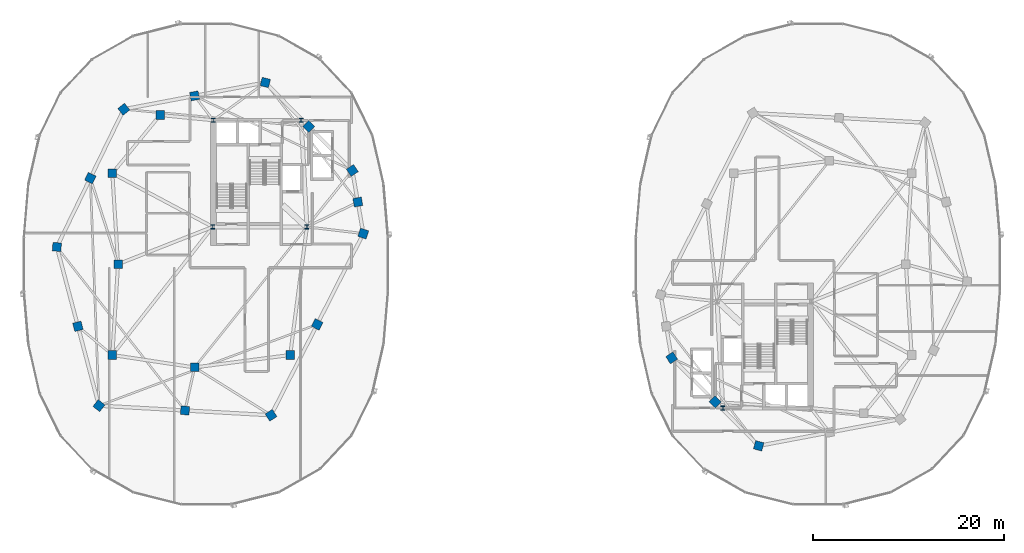
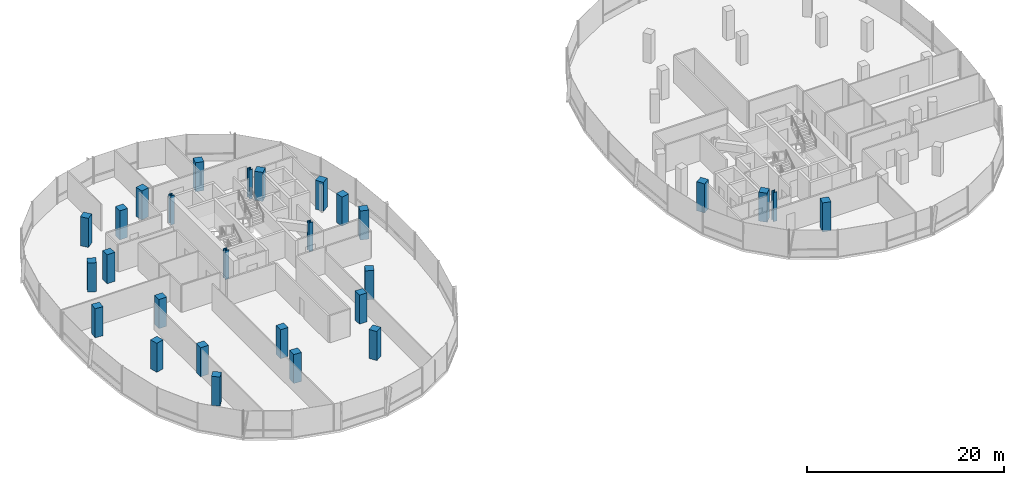
# One storey, part 1 of 25: 28 columns.
"""IFC4 building model written with IfcOpenShell, lengths in metres."""

import ifcopenshell
import ifcopenshell.guid

model = None  # the IFC model being written
_history = None  # IfcOwnerHistory: only IFC2X3 demands one
_inside = {}  # id of a spatial element -> (the spatial element, [elements in it])
_under = {}  # id of a project, library or spatial element -> (it, [spatial elements below it])
_declared = {}  # id of a project -> (the project, [libraries it declares])
_typed = {}  # id of a type object -> (the type object, [elements of that type])
_made_of = {}  # id of a material, layer set ... -> (it, [elements and type objects made of it])


def new_model(schema):
    """Start an empty IFC model of exactly this schema.

    Asked for "IFC4X3", IfcOpenShell would pick the latest addendum, in which some entities
    have other attributes; the version numbers below select the first issue.
    IFC2X3 requires an IfcOwnerHistory on every rooted entity: one is made here for all.
    """
    global model, _history
    if schema == "IFC4X3":
        model = ifcopenshell.file(schema_version=(4, 3, 0, 0))
    else:
        model = ifcopenshell.file(schema=schema)
    _inside.clear()
    _under.clear()
    _declared.clear()
    _typed.clear()
    _made_of.clear()
    _history = None
    if model.schema == "IFC2X3":
        org = make("IfcOrganization", Name="unknown")
        user = make(
            "IfcPersonAndOrganization",
            ThePerson=make("IfcPerson", FamilyName="unknown"),
            TheOrganization=org,
        )
        app = make(
            "IfcApplication",
            ApplicationDeveloper=org,
            Version="unknown",
            ApplicationFullName="unknown",
            ApplicationIdentifier="unknown",
        )
        _history = make(
            "IfcOwnerHistory",
            OwningUser=user,
            OwningApplication=app,
            ChangeAction="ADDED",
            CreationDate=0,
        )
    return model


def make(cls, **values):
    """One entity of the class cls with the attributes given. An attribute that is None is left unset."""
    return model.create_entity(
        cls, **{name: value for name, value in values.items() if value is not None}
    )


def rooted(cls, **values):
    """An entity with a GlobalId (a new one), such as an element, a storey or a relation."""
    return make(cls, GlobalId=ifcopenshell.guid.new(), OwnerHistory=_history, **values)


def si_unit(unit_type, name, prefix=None):
    """IfcSIUnit, for example si_unit("LENGTHUNIT", "METRE", prefix="MILLI")."""
    return make("IfcSIUnit", UnitType=unit_type, Prefix=prefix, Name=name)


def assignment(units):
    """IfcUnitAssignment: the units of a project."""
    return None if units is None else make("IfcUnitAssignment", Units=units)


def point(xyz):
    """IfcCartesianPoint."""
    return None if xyz is None else make("IfcCartesianPoint", Coordinates=xyz)


def direction(xyz):
    """IfcDirection."""
    return None if xyz is None else make("IfcDirection", DirectionRatios=xyz)


def frame(location, z_axis=None, x_axis=None):
    """IfcAxis2Placement3D, a coordinate frame: its origin and axes. An axis left out is left unset."""
    return make(
        "IfcAxis2Placement3D",
        Location=point(location),
        Axis=direction(z_axis),
        RefDirection=direction(x_axis),
    )


def frame_2d(location, x_axis=None):
    """IfcAxis2Placement2D, a coordinate frame in the plane: its origin and x axis."""
    return make(
        "IfcAxis2Placement2D", Location=point(location), RefDirection=direction(x_axis)
    )


def origin():
    """The frame at (0, 0, 0) with its axes left unset."""
    return frame((0.0, 0.0, 0.0))


def origin_2d():
    """The frame at (0, 0) in the plane with its x axis left unset."""
    return frame_2d((0.0, 0.0))


def place(relative_to, where):
    """IfcLocalPlacement: puts the frame where relative to a parent placement (None: the world)."""
    return make(
        "IfcLocalPlacement", PlacementRelTo=relative_to, RelativePlacement=where
    )


def context(
    kind, dimensions, precision=None, world=None, true_north=None, identifier=None
):
    """IfcGeometricRepresentationContext, for example the 3D "Model" context."""
    return make(
        "IfcGeometricRepresentationContext",
        ContextIdentifier=identifier,
        ContextType=kind,
        CoordinateSpaceDimension=dimensions,
        Precision=precision,
        WorldCoordinateSystem=world,
        TrueNorth=true_north,
    )


def subcontext(parent, identifier, kind, view, scale=None):
    """IfcGeometricRepresentationSubContext, for example "Body" below "Model"."""
    return make(
        "IfcGeometricRepresentationSubContext",
        ContextIdentifier=identifier,
        ContextType=kind,
        ParentContext=parent,
        TargetScale=scale,
        TargetView=view,
    )


def project(units=None, contexts=None):
    """IfcProject with its units and contexts."""
    return rooted(
        "IfcProject",
        Name="project",
        RepresentationContexts=contexts,
        UnitsInContext=assignment(units),
    )


def spatial(cls, under=None, at=None, **own):
    """A site, building, storey or space (cls), placed at a placement, below another one or the project."""
    s = rooted(cls, ObjectPlacement=at, **own)
    if under is not None:
        _under.setdefault(under.id(), (under, []))[1].append(s)
    return s


def profile(cls, at=None, kind="AREA", **sizes):
    """A parametric profile (cls). Its sizes go by their IFC names, for example OverallWidth=200.0."""
    return make(cls, ProfileType=kind, Position=at, **sizes)


def rectangle(**sizes):
    """IfcRectangleProfileDef."""
    return profile("IfcRectangleProfileDef", **sizes)


def i_section(**sizes):
    """IfcIShapeProfileDef."""
    return profile("IfcIShapeProfileDef", **sizes)


def extrude(swept, where, along, depth):
    """IfcExtrudedAreaSolid: the profile swept, set in the frame where, extruded along a direction by depth."""
    return make(
        "IfcExtrudedAreaSolid",
        SweptArea=swept,
        Position=where,
        ExtrudedDirection=direction(along),
        Depth=depth,
    )


def shape(context_of_items, identifier, shape_type, items):
    """IfcShapeRepresentation: the items that make up one representation, for example the "Body"."""
    return make(
        "IfcShapeRepresentation",
        ContextOfItems=context_of_items,
        RepresentationIdentifier=identifier,
        RepresentationType=shape_type,
        Items=items,
    )


def material(Name=None, Category=None):
    """IfcMaterial."""
    return make("IfcMaterial", Name=Name, Category=Category)


def material_profile(
    of_material, cross_section, Name=None, Category=None, Priority=None
):
    """IfcMaterialProfile: a cross section and its material."""
    return make(
        "IfcMaterialProfile",
        Name=Name,
        Material=of_material,
        Profile=cross_section,
        Priority=Priority,
        Category=Category,
    )


def profile_set(profiles, Name=None, composite=None):
    """IfcMaterialProfileSet."""
    return make(
        "IfcMaterialProfileSet",
        Name=Name,
        MaterialProfiles=profiles,
        CompositeProfile=composite,
    )


def made_of(thing, what):
    """Note that an element or type object is made of a material, layer set ...; save() writes the relation."""
    if what is not None:
        _made_of.setdefault(what.id(), (what, []))[1].append(thing)
    return thing


def type_object(cls, material=None, **own):
    """A type object (cls), such as IfcWallType, which elements share."""
    return made_of(rooted(cls, **own), material)


def element(
    cls,
    number,
    at=None,
    inside=None,
    cuts=None,
    type_object=None,
    material=None,
    context=None,
    identifier="Body",
    shape_type=None,
    held_by="IfcProductDefinitionShape",
    body=None,
    shapes=None,
    **own,
):
    """One element of the class cls, such as IfcWall. Its Tag is "e" and its number.

    at: its placement. inside: the storey or other place that contains it. cuts: it is an
    opening in that element (IfcRelVoidsElement). A single representation is given by context,
    identifier, shape_type and body (its items); several are given by shapes. held_by: the class
    of the entity that holds the representations. save() writes the other relations.
    """
    e = rooted(cls, Tag="e%d" % number, ObjectPlacement=at, **own)
    if body is not None:
        shapes = [shape(context, identifier, shape_type, body)]
    if shapes is not None:
        e.Representation = make(held_by, Representations=shapes)
    if inside is not None:
        _inside.setdefault(inside.id(), (inside, []))[1].append(e)
    if cuts is not None:
        rooted(
            "IfcRelVoidsElement", RelatingBuildingElement=cuts, RelatedOpeningElement=e
        )
    if type_object is not None:
        _typed.setdefault(type_object.id(), (type_object, []))[1].append(e)
    return made_of(e, material)


def aggregate(whole, parts):
    """IfcRelAggregates: a whole, such as a stair, and the parts it consists of."""
    return rooted("IfcRelAggregates", RelatingObject=whole, RelatedObjects=parts)


def save(model, path):
    """Write the relations noted so far, then the file.

    IfcRelAggregates (storeys below a building ...), IfcRelContainedInSpatialStructure (elements
    in a storey), IfcRelDefinesByType, IfcRelAssociatesMaterial and IfcRelDeclares: one each for
    every whole, place, type object, material and project.
    """
    for whole, parts in _under.values():
        aggregate(whole, parts)
    for where, things in _inside.values():
        rooted(
            "IfcRelContainedInSpatialStructure",
            RelatedElements=things,
            RelatingStructure=where,
        )
    for kind, things in _typed.values():
        rooted("IfcRelDefinesByType", RelatedObjects=things, RelatingType=kind)
    for what, things in _made_of.values():
        rooted("IfcRelAssociatesMaterial", RelatedObjects=things, RelatingMaterial=what)
    for by, libraries in _declared.values():
        rooted("IfcRelDeclares", RelatingContext=by, RelatedDefinitions=libraries)
    model.write(path)


model = new_model("IFC4")

# Units and contexts
model_context = context("Model", 3, precision=1e-05, world=origin(), true_north=direction((0.0, 1.0)))
body_context = subcontext(model_context, "Body", "Model", "MODEL_VIEW")
ifc_project = project(units=[si_unit("LENGTHUNIT", "METRE"), si_unit("AREAUNIT", "SQUARE_METRE"), si_unit("VOLUMEUNIT", "CUBIC_METRE"), si_unit("PLANEANGLEUNIT", "RADIAN"), si_unit("MASSUNIT", "GRAM", prefix="KILO"), si_unit("THERMODYNAMICTEMPERATUREUNIT", "KELVIN"), si_unit("POWERUNIT", "WATT")], contexts=[model_context])

# Site, building, storey
site_placement = place(None, origin())
site = spatial("IfcSite", under=ifc_project, at=site_placement, CompositionType="ELEMENT")
building_placement = place(site_placement, origin())
building = spatial("IfcBuilding", under=site, at=building_placement, Name="Cundina Bronze Exchange", CompositionType="ELEMENT")
storey_placement = place(building_placement, frame((0.0, 0.0, 191.800048828125)))
storey = spatial("IfcBuildingStorey", under=building, at=storey_placement, Name="L50", CompositionType="ELEMENT", Elevation=191.800048828125)

# Columns
ifc_material_1 = material(Name="Steel ASTM A992 Grade 50", Category="steel")
ifc_material_profile_1 = material_profile(ifc_material_1, i_section(OverallWidth=0.416015625, OverallDepth=0.446044921875, WebThickness=0.0390625, FlangeThickness=0.062744140625, FilletRadius=0.01806640625, at=origin_2d()), Name="W14X342", Category="steel")
ifc_profile_set_1 = profile_set([ifc_material_profile_1], Name="Steel ASTM A992 Grade 50")
column_type_1 = type_object("IfcColumnType", Name="COL-STL-W14B", PredefinedType="COLUMN", material=ifc_profile_set_1)
for number, where, z_axis, x_axis, name in (
    (1, (-31.300048828125, 3.89990234375, 0.0), (0.0, 0.0, 1.0), (1.0, 0.0, 0.0), "L50 Core Anchor Column W1"),
    (2, (-21.449951171875, 3.89990234375, 0.0), (0.0, 0.0, 1.0), (1.0, 0.0, 0.0), "L50 Core Anchor Column W2"),
    (3, (-22.050048828125, 15.050048828125, 0.0), (0.0, 0.0, 1.0), (1.0, 0.0, 0.0), "L50 Core Anchor Column W3"),
    (4, (-31.25, 15.050048828125, 0.0), (0.0, 0.0, 1.0), (1.0, 0.0, 0.0), "L50 Core Anchor Column W4"),
    (5, (22.050048828125, -15.050048828125, 0.0), (0.0, 0.0, 1.0), (1.0, 0.0, 0.0), "L50 Core Anchor Column E3"),
):
    element("IfcColumn", number, at=place(storey_placement, frame(where, z_axis=z_axis, x_axis=x_axis)), inside=storey, type_object=column_type_1, Name=name, PredefinedType="COLUMN", context=body_context, shape_type="SweptSolid", body=[
        extrude(i_section(OverallWidth=0.416015625, OverallDepth=0.446044921875, WebThickness=0.0390625, FlangeThickness=0.062744140625, FilletRadius=0.01806640625, at=origin_2d()), origin(), (0.0, 0.0, 1.0), 3.599853515625),
    ])
ifc_material_2 = material(Name="Concrete C50/60", Category="concrete")
ifc_material_profile_2 = material_profile(ifc_material_2, rectangle(XDim=0.89990234375, YDim=0.89990234375, at=origin_2d()), Name="RC900X900", Category="concrete")
ifc_profile_set_2 = profile_set([ifc_material_profile_2], Name="Concrete C50/60")
column_type_2 = type_object("IfcColumnType", Name="COL-Z4-900", PredefinedType="COLUMN", material=ifc_profile_set_2)
for number, where, z_axis, x_axis, name in (
    (6, (-41.199951171875, 0.0, 0.0), (0.0, 0.0, 1.0), (1.0, 0.0, 0.0), "L50 W Inner Ring Column 1"),
    (7, (-41.800048828125, 9.5, 0.0), (0.0, 0.0, 1.0), (1.0, 0.0, 0.0), "L50 W Inner Ring Column 2"),
    (8, (-36.800048828125, 15.60009765625, 0.0), (0.0, 0.0, 1.0), (1.0, 0.0, 0.0), "L50 W Inner Ring Column 3"),
    (9, (-41.800048828125, -9.5, 0.0), (0.0, 0.0, 1.0), (1.0, 0.0, 0.0), "L50 W Inner Ring Column 4"),
    (10, (-33.199951171875, -10.800048828125, 0.0), (0.0, 0.0, 1.0), (1.0, 0.0, 0.0), "L50 W Inner Ring Column 5"),
    (11, (-23.199951171875, -9.5, 0.0), (0.0, 0.0, 1.0), (1.0, 0.0, 0.0), "L50 W Inner Ring Column 6"),
    (12, (-15.550048828125, 3.199951171875, 0.0), (0.0, 0.0, 1.0), (0.315152163383, 0.949041155016, 0.0), "L50 W Perimeter Column 00"),
    (13, (-16.125, 6.5, 0.0), (0.0, 0.0, 1.0), (-0.171585221787, 0.985169280715, 0.0), "L50 W Perimeter Column 01"),
    (14, (-16.699951171875, 9.800048828125, 0.0), (0.0, 0.0, 1.0), (-0.544199833495, 0.838955625301, 0.0), "L50 W Perimeter Column 02"),
    (15, (-21.25, 14.39990234375, 0.0), (0.0, 0.0, 1.0), (-0.703270634186, 0.710922228581, 0.0), "L50 W Perimeter Column 03"),
    (16, (-25.800048828125, 19.0, 0.0), (0.0, 0.0, 1.0), (-0.965970984022, 0.258650455301, 0.0), "L50 W Perimeter Column 04"),
    (17, (-33.199951171875, 17.60009765625, 0.0), (0.0, 0.0, 1.0), (-0.98258037664, -0.185838110843, 0.0), "L50 W Perimeter Column 05"),
    (18, (-40.60009765625, 16.199951171875, 0.0), (0.0, 0.0, 1.0), (-0.785100778485, -0.619368038909, 0.0), "L50 W Perimeter Column 06"),
    (19, (-44.10009765625, 9.0, 0.0), (0.0, 0.0, 1.0), (-0.437115766651, -0.899405251566, 0.0), "L50 W Perimeter Column 07"),
    (20, (-47.60009765625, 1.800048828125, 0.0), (0.0, 0.0, 1.0), (-0.083503921245, -0.996507448611, 0.0), "L50 W Perimeter Column 08"),
    (21, (-45.39990234375, -6.5, 0.0), (0.0, 0.0, 1.0), (0.256289373133, -0.966600102017, 0.0), "L50 W Perimeter Column 09"),
    (22, (-43.199951171875, -14.800048828125, 0.0), (0.0, 0.0, 1.0), (0.786288432137, -0.61785961309, 0.0), "L50 W Perimeter Column 10"),
    (23, (-34.199951171875, -15.300048828125, 0.0), (0.0, 0.0, 1.0), (0.998460188734, -0.055472980025, 0.0), "L50 W Perimeter Column 11"),
    (24, (-25.199951171875, -15.800048828125, 0.0), (0.0, 0.0, 1.0), (0.838099763533, 0.545516989988, 0.0), "L50 W Perimeter Column 12"),
    (25, (-20.375, -6.300048828125, 0.0), (0.0, 0.0, 1.0), (0.452901591366, 0.891560513111, 0.0), "L50 W Perimeter Column 13"),
    (26, (16.699951171875, -9.800048828125, 0.0), (0.0, 0.0, 1.0), (0.544199833495, -0.838955625301, 0.0), "L50 E Perimeter Column 02"),
    (27, (21.25, -14.39990234375, 0.0), (0.0, 0.0, 1.0), (0.703270634186, -0.710922228581, 0.0), "L50 E Perimeter Column 03"),
    (28, (25.800048828125, -19.0, 0.0), (0.0, 0.0, 1.0), (0.965970984022, -0.258650455301, 0.0), "L50 E Perimeter Column 04"),
):
    element("IfcColumn", number, at=place(storey_placement, frame(where, z_axis=z_axis, x_axis=x_axis)), inside=storey, type_object=column_type_2, Name=name, PredefinedType="COLUMN", context=body_context, shape_type="SweptSolid", body=[
        extrude(rectangle(XDim=0.89990234375, YDim=0.89990234375, at=origin_2d()), origin(), (0.0, 0.0, 1.0), 3.599853515625),
    ])

save(model, "model.ifc")
